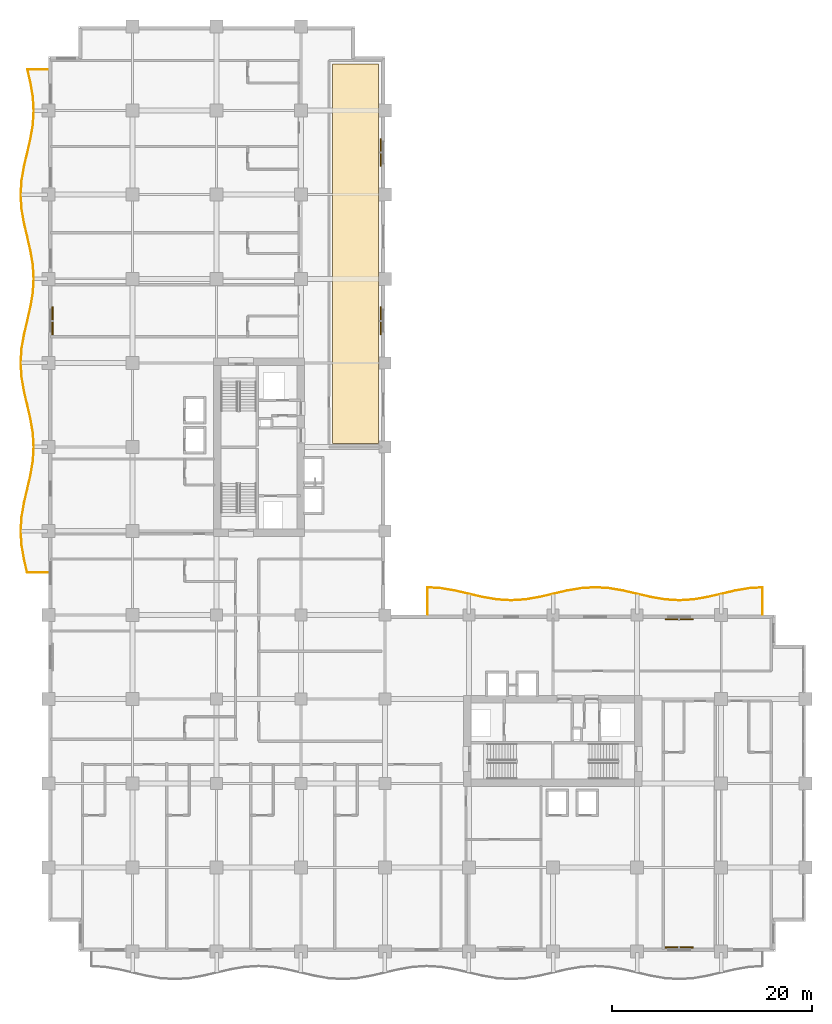
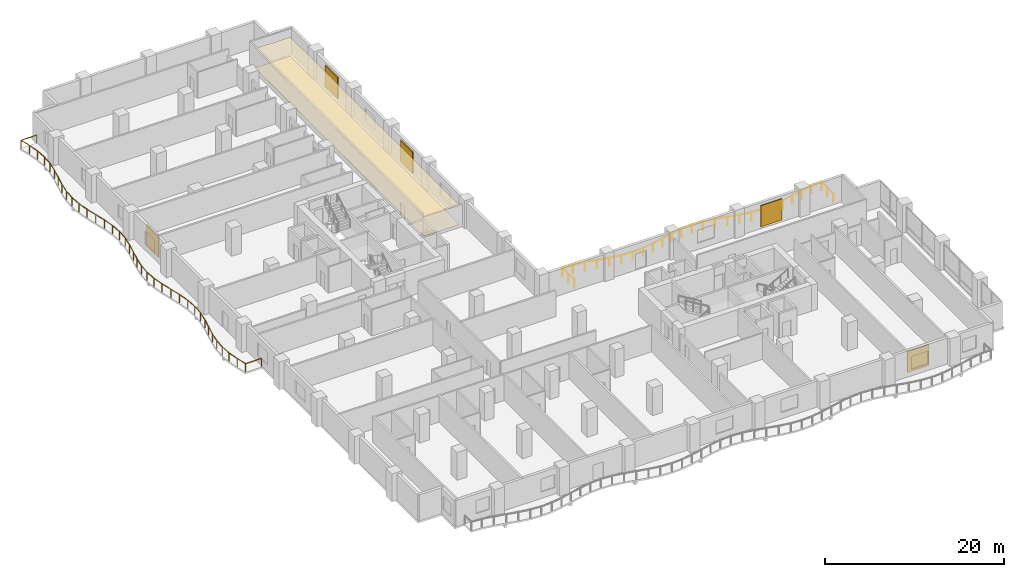
# One storey, part 24 of 24: 5 shading devices, 2 coverings, 2 railings.
"""IFC4 building model written with IfcOpenShell, lengths in metres."""

import ifcopenshell
import ifcopenshell.guid

model = None  # the IFC model being written
_history = None  # IfcOwnerHistory: only IFC2X3 demands one
_inside = {}  # id of a spatial element -> (the spatial element, [elements in it])
_under = {}  # id of a project, library or spatial element -> (it, [spatial elements below it])
_declared = {}  # id of a project -> (the project, [libraries it declares])
_typed = {}  # id of a type object -> (the type object, [elements of that type])
_made_of = {}  # id of a material, layer set ... -> (it, [elements and type objects made of it])


def new_model(schema):
    """Start an empty IFC model of exactly this schema.

    Asked for "IFC4X3", IfcOpenShell would pick the latest addendum, in which some entities
    have other attributes; the version numbers below select the first issue.
    IFC2X3 requires an IfcOwnerHistory on every rooted entity: one is made here for all.
    """
    global model, _history
    if schema == "IFC4X3":
        model = ifcopenshell.file(schema_version=(4, 3, 0, 0))
    else:
        model = ifcopenshell.file(schema=schema)
    _inside.clear()
    _under.clear()
    _declared.clear()
    _typed.clear()
    _made_of.clear()
    _history = None
    if model.schema == "IFC2X3":
        org = make("IfcOrganization", Name="unknown")
        user = make(
            "IfcPersonAndOrganization",
            ThePerson=make("IfcPerson", FamilyName="unknown"),
            TheOrganization=org,
        )
        app = make(
            "IfcApplication",
            ApplicationDeveloper=org,
            Version="unknown",
            ApplicationFullName="unknown",
            ApplicationIdentifier="unknown",
        )
        _history = make(
            "IfcOwnerHistory",
            OwningUser=user,
            OwningApplication=app,
            ChangeAction="ADDED",
            CreationDate=0,
        )
    return model


def make(cls, **values):
    """One entity of the class cls with the attributes given. An attribute that is None is left unset."""
    return model.create_entity(
        cls, **{name: value for name, value in values.items() if value is not None}
    )


def rooted(cls, **values):
    """An entity with a GlobalId (a new one), such as an element, a storey or a relation."""
    return make(cls, GlobalId=ifcopenshell.guid.new(), OwnerHistory=_history, **values)


def si_unit(unit_type, name, prefix=None):
    """IfcSIUnit, for example si_unit("LENGTHUNIT", "METRE", prefix="MILLI")."""
    return make("IfcSIUnit", UnitType=unit_type, Prefix=prefix, Name=name)


def assignment(units):
    """IfcUnitAssignment: the units of a project."""
    return None if units is None else make("IfcUnitAssignment", Units=units)


def point(xyz):
    """IfcCartesianPoint."""
    return None if xyz is None else make("IfcCartesianPoint", Coordinates=xyz)


def direction(xyz):
    """IfcDirection."""
    return None if xyz is None else make("IfcDirection", DirectionRatios=xyz)


def frame(location, z_axis=None, x_axis=None):
    """IfcAxis2Placement3D, a coordinate frame: its origin and axes. An axis left out is left unset."""
    return make(
        "IfcAxis2Placement3D",
        Location=point(location),
        Axis=direction(z_axis),
        RefDirection=direction(x_axis),
    )


def frame_2d(location, x_axis=None):
    """IfcAxis2Placement2D, a coordinate frame in the plane: its origin and x axis."""
    return make(
        "IfcAxis2Placement2D", Location=point(location), RefDirection=direction(x_axis)
    )


def origin():
    """The frame at (0, 0, 0) with its axes left unset."""
    return frame((0.0, 0.0, 0.0))


def origin_2d():
    """The frame at (0, 0) in the plane with its x axis left unset."""
    return frame_2d((0.0, 0.0))


def place(relative_to, where):
    """IfcLocalPlacement: puts the frame where relative to a parent placement (None: the world)."""
    return make(
        "IfcLocalPlacement", PlacementRelTo=relative_to, RelativePlacement=where
    )


def context(
    kind, dimensions, precision=None, world=None, true_north=None, identifier=None
):
    """IfcGeometricRepresentationContext, for example the 3D "Model" context."""
    return make(
        "IfcGeometricRepresentationContext",
        ContextIdentifier=identifier,
        ContextType=kind,
        CoordinateSpaceDimension=dimensions,
        Precision=precision,
        WorldCoordinateSystem=world,
        TrueNorth=true_north,
    )


def subcontext(parent, identifier, kind, view, scale=None):
    """IfcGeometricRepresentationSubContext, for example "Body" below "Model"."""
    return make(
        "IfcGeometricRepresentationSubContext",
        ContextIdentifier=identifier,
        ContextType=kind,
        ParentContext=parent,
        TargetScale=scale,
        TargetView=view,
    )


def project(units=None, contexts=None):
    """IfcProject with its units and contexts."""
    return rooted(
        "IfcProject",
        Name="project",
        RepresentationContexts=contexts,
        UnitsInContext=assignment(units),
    )


def spatial(cls, under=None, at=None, **own):
    """A site, building, storey or space (cls), placed at a placement, below another one or the project."""
    s = rooted(cls, ObjectPlacement=at, **own)
    if under is not None:
        _under.setdefault(under.id(), (under, []))[1].append(s)
    return s


def polyline(points):
    """IfcPolyline through the points."""
    return make("IfcPolyline", Points=[point(p) for p in points])


def profile(cls, at=None, kind="AREA", **sizes):
    """A parametric profile (cls). Its sizes go by their IFC names, for example OverallWidth=200.0."""
    return make(cls, ProfileType=kind, Position=at, **sizes)


def rectangle(**sizes):
    """IfcRectangleProfileDef."""
    return profile("IfcRectangleProfileDef", **sizes)


def circle(**sizes):
    """IfcCircleProfileDef."""
    return profile("IfcCircleProfileDef", **sizes)


def outline(outer, holes=None, kind="AREA"):
    """IfcArbitraryClosedProfileDef: a profile drawn as a closed curve; with holes, ...WithVoids."""
    if holes is None:
        return make("IfcArbitraryClosedProfileDef", ProfileType=kind, OuterCurve=outer)
    return make(
        "IfcArbitraryProfileDefWithVoids",
        ProfileType=kind,
        OuterCurve=outer,
        InnerCurves=holes,
    )


def extrude(swept, where, along, depth):
    """IfcExtrudedAreaSolid: the profile swept, set in the frame where, extruded along a direction by depth."""
    return make(
        "IfcExtrudedAreaSolid",
        SweptArea=swept,
        Position=where,
        ExtrudedDirection=direction(along),
        Depth=depth,
    )


def shape(context_of_items, identifier, shape_type, items):
    """IfcShapeRepresentation: the items that make up one representation, for example the "Body"."""
    return make(
        "IfcShapeRepresentation",
        ContextOfItems=context_of_items,
        RepresentationIdentifier=identifier,
        RepresentationType=shape_type,
        Items=items,
    )


def material(Name=None, Category=None):
    """IfcMaterial."""
    return make("IfcMaterial", Name=Name, Category=Category)


def layer(
    of_material, thickness, ventilated=None, Name=None, Category=None, Priority=None
):
    """IfcMaterialLayer: one layer of a wall or slab, of a material (None: an air gap)."""
    return make(
        "IfcMaterialLayer",
        Material=of_material,
        LayerThickness=thickness,
        IsVentilated=ventilated,
        Name=Name,
        Category=Category,
        Priority=Priority,
    )


def layer_set(layers, Name=None):
    """IfcMaterialLayerSet."""
    return make("IfcMaterialLayerSet", MaterialLayers=layers, LayerSetName=Name)


def made_of(thing, what):
    """Note that an element or type object is made of a material, layer set ...; save() writes the relation."""
    if what is not None:
        _made_of.setdefault(what.id(), (what, []))[1].append(thing)
    return thing


def type_object(cls, material=None, **own):
    """A type object (cls), such as IfcWallType, which elements share."""
    return made_of(rooted(cls, **own), material)


def element(
    cls,
    number,
    at=None,
    inside=None,
    cuts=None,
    type_object=None,
    material=None,
    context=None,
    identifier="Body",
    shape_type=None,
    held_by="IfcProductDefinitionShape",
    body=None,
    shapes=None,
    **own,
):
    """One element of the class cls, such as IfcWall. Its Tag is "e" and its number.

    at: its placement. inside: the storey or other place that contains it. cuts: it is an
    opening in that element (IfcRelVoidsElement). A single representation is given by context,
    identifier, shape_type and body (its items); several are given by shapes. held_by: the class
    of the entity that holds the representations. save() writes the other relations.
    """
    e = rooted(cls, Tag="e%d" % number, ObjectPlacement=at, **own)
    if body is not None:
        shapes = [shape(context, identifier, shape_type, body)]
    if shapes is not None:
        e.Representation = make(held_by, Representations=shapes)
    if inside is not None:
        _inside.setdefault(inside.id(), (inside, []))[1].append(e)
    if cuts is not None:
        rooted(
            "IfcRelVoidsElement", RelatingBuildingElement=cuts, RelatedOpeningElement=e
        )
    if type_object is not None:
        _typed.setdefault(type_object.id(), (type_object, []))[1].append(e)
    return made_of(e, material)


def aggregate(whole, parts):
    """IfcRelAggregates: a whole, such as a stair, and the parts it consists of."""
    return rooted("IfcRelAggregates", RelatingObject=whole, RelatedObjects=parts)


def save(model, path):
    """Write the relations noted so far, then the file.

    IfcRelAggregates (storeys below a building ...), IfcRelContainedInSpatialStructure (elements
    in a storey), IfcRelDefinesByType, IfcRelAssociatesMaterial and IfcRelDeclares: one each for
    every whole, place, type object, material and project.
    """
    for whole, parts in _under.values():
        aggregate(whole, parts)
    for where, things in _inside.values():
        rooted(
            "IfcRelContainedInSpatialStructure",
            RelatedElements=things,
            RelatingStructure=where,
        )
    for kind, things in _typed.values():
        rooted("IfcRelDefinesByType", RelatedObjects=things, RelatingType=kind)
    for what, things in _made_of.values():
        rooted("IfcRelAssociatesMaterial", RelatedObjects=things, RelatingMaterial=what)
    for by, libraries in _declared.values():
        rooted("IfcRelDeclares", RelatingContext=by, RelatedDefinitions=libraries)
    model.write(path)


model = new_model("IFC4")

# Units and contexts
model_context = context("Model", 3, precision=1e-05, world=origin(), true_north=direction((0.0, 1.0)))
body_context = subcontext(model_context, "Body", "Model", "MODEL_VIEW")
ifc_project = project(units=[si_unit("LENGTHUNIT", "METRE"), si_unit("AREAUNIT", "SQUARE_METRE"), si_unit("VOLUMEUNIT", "CUBIC_METRE"), si_unit("PLANEANGLEUNIT", "RADIAN"), si_unit("MASSUNIT", "GRAM", prefix="KILO")], contexts=[model_context])

# Site, building, storey
site_placement = place(None, origin())
site = spatial("IfcSite", under=ifc_project, at=site_placement, CompositionType="ELEMENT")
building_placement = place(site_placement, origin())
building = spatial("IfcBuilding", under=site, at=building_placement, Name="Koriwani Terraces Tower", CompositionType="ELEMENT")
storey_placement = place(building_placement, frame((0.0, 0.0, 103.800048828125)))
storey = spatial("IfcBuildingStorey", under=building, at=storey_placement, Name="L24", CompositionType="ELEMENT", Elevation=103.800048828125)

# Coverings
ifc_material_1 = material(Name="Fire-Rated Acoustic Gypsum Partition", Category="masonry")
ifc_layer_1 = layer(ifc_material_1, 0.02490234375, Name="Fire-Rated Acoustic Gypsum Partition")
ifc_layer_set_1 = layer_set([ifc_layer_1], Name="Fire-Rated Acoustic Gypsum Partition")
covering_type_1 = type_object("IfcCoveringType", Name="CEILING_ACOUSTIC_GYPSUM", PredefinedType="CEILING", material=ifc_layer_set_1)
covering_1_placement = place(storey_placement, frame((0.0, 0.0, 2.60498046875)))
element("IfcCovering", 1, at=covering_1_placement, inside=storey, type_object=covering_type_1, Name="L24 Suspended Acoustic Gypsum Ceiling", PredefinedType="CEILING", context=body_context, shape_type="SweptSolid", body=[
    extrude(outline(polyline([(28.35009765625, 50.75), (28.35009765625, 88.64990234375), (32.949951171875, 88.64990234375), (32.949951171875, 50.75), (28.35009765625, 50.75)])), origin(), (0.0, 0.0, 1.0), 0.02490234375),
])
ifc_material_2 = material(Name="Polished Andean Slate Flooring", Category="masonry")
ifc_layer_2 = layer(ifc_material_2, 0.030029296875, Name="Polished Andean Slate Flooring")
ifc_layer_set_2 = layer_set([ifc_layer_2], Name="Polished Andean Slate Flooring")
covering_type_2 = type_object("IfcCoveringType", Name="FLOORING_ANDEAN_STONE", PredefinedType="FLOORING", material=ifc_layer_set_2)
covering_2_placement = place(storey_placement, origin())
element("IfcCovering", 2, at=covering_2_placement, inside=storey, type_object=covering_type_2, Name="L24 Polished Andean Slate Floor Finish", PredefinedType="FLOORING", context=body_context, shape_type="SweptSolid", body=[
    extrude(outline(polyline([(28.35009765625, 50.75), (28.35009765625, 88.64990234375), (32.949951171875, 88.64990234375), (32.949951171875, 50.75), (28.35009765625, 50.75)])), origin(), (0.0, 0.0, 1.0), 0.030029296875),
])

# Railings
ifc_material_3 = material(Name="Steel ASTM A572 Grade 50", Category="steel")
railing_type = type_object("IfcRailingType", Name="GUARD_BALUSTRADE_1150", PredefinedType="BALUSTRADE", material=ifc_material_3)
railing_1_placement = place(storey_placement, frame((-0.080078125, 37.8798828125, 0.0)))
element("IfcRailing", 3, at=railing_1_placement, inside=storey, type_object=railing_type, Name="L24 Balcony Perimeter Safety Balustrade (W)", PredefinedType="BALUSTRADE", context=body_context, shape_type="SweptSolid", body=[
    extrude(circle(Radius=0.02392578125, at=origin_2d()), frame((0.0, 0.0, 1.1259765625), z_axis=(-1.0, 0.0, 0.0), x_axis=(0.0, -1.0, 0.0)), (0.0, 0.0, 1.0), 2.056396484375),
    extrude(circle(Radius=0.02392578125, at=origin_2d()), frame((-2.056396484375, 0.0, 1.1259765625), z_axis=(-0.226081445763, 0.974108402531, 0.0), x_axis=(-0.974108402531, -0.226081445763, 0.0)), (0.0, 0.0, 1.0), 1.371337890625),
    extrude(circle(Radius=0.02392578125, at=origin_2d()), frame((-2.366455078125, 1.3359375, 1.1259765625), z_axis=(-0.167563594016, 0.985861269125, 0.0), x_axis=(-0.985861269125, -0.167563594016, 0.0)), (0.0, 0.0, 1.0), 1.413330078125),
    extrude(circle(Radius=0.02392578125, at=origin_2d()), frame((-2.603271484375, 2.729248046875, 1.1259765625), z_axis=(-0.062018352335, 0.998075009192, 0.0), x_axis=(-0.998075009192, -0.062018352335, 0.0)), (0.0, 0.0, 1.0), 1.3935546875),
    extrude(circle(Radius=0.02392578125, at=origin_2d()), frame((-2.689697265625, 4.1201171875, 1.1259765625), z_axis=(0.062018352335, 0.998075009192, 0.0), x_axis=(-0.998075009192, 0.062018352335, 0.0)), (0.0, 0.0, 1.0), 1.3935546875),
    extrude(circle(Radius=0.02392578125, at=origin_2d()), frame((-2.603271484375, 5.510986328125, 1.1259765625), z_axis=(0.167563594016, 0.985861269125, 0.0), x_axis=(-0.985861269125, 0.167563594016, 0.0)), (0.0, 0.0, 1.0), 1.413330078125),
    extrude(circle(Radius=0.02392578125, at=origin_2d()), frame((-2.366455078125, 6.904296875, 1.1259765625), z_axis=(0.226093729043, 0.974105551615, 0.0), x_axis=(-0.974105551615, 0.226093729043, 0.0)), (0.0, 0.0, 1.0), 2.87451171875),
    extrude(circle(Radius=0.02392578125, at=origin_2d()), frame((-1.716552734375, 9.704345703125, 1.1259765625), z_axis=(0.167533954852, 0.985866306337, 0.0), x_axis=(-0.985866306337, 0.167533954852, 0.0)), (0.0, 0.0, 1.0), 1.4267578125),
    extrude(circle(Radius=0.02392578125, at=origin_2d()), frame((-1.4775390625, 11.11083984375, 1.1259765625), z_axis=(0.061904605217, 0.9980820707, 0.0), x_axis=(-0.9980820707, 0.061904605217, 0.0)), (0.0, 0.0, 1.0), 1.411865234375),
    extrude(circle(Radius=0.02392578125, at=origin_2d()), frame((-1.39013671875, 12.52001953125, 1.1259765625), z_axis=(-0.061904605217, 0.9980820707, 0.0), x_axis=(-0.9980820707, -0.061904605217, 0.0)), (0.0, 0.0, 1.0), 1.411865234375),
    extrude(circle(Radius=0.02392578125, at=origin_2d()), frame((-1.4775390625, 13.92919921875, 1.1259765625), z_axis=(-0.16750569507, 0.985871108269, 0.0), x_axis=(-0.985871108269, -0.16750569507, 0.0)), (0.0, 0.0, 1.0), 1.427001953125),
    extrude(circle(Radius=0.02392578125, at=origin_2d()), frame((-1.716552734375, 15.3359375, 1.1259765625), z_axis=(-0.226093729043, 0.974105551615, 0.0), x_axis=(-0.974105551615, -0.226093729043, 0.0)), (0.0, 0.0, 1.0), 2.87451171875),
    extrude(circle(Radius=0.02392578125, at=origin_2d()), frame((-2.366455078125, 18.135986328125, 1.1259765625), z_axis=(-0.167563594016, 0.985861269125, 0.0), x_axis=(-0.985861269125, -0.167563594016, 0.0)), (0.0, 0.0, 1.0), 1.413330078125),
    extrude(circle(Radius=0.02392578125, at=origin_2d()), frame((-2.603271484375, 19.529296875, 1.1259765625), z_axis=(-0.062018352335, 0.998075009192, 0.0), x_axis=(-0.998075009192, -0.062018352335, 0.0)), (0.0, 0.0, 1.0), 1.3935546875),
    extrude(circle(Radius=0.02392578125, at=origin_2d()), frame((-2.689697265625, 20.920166015625, 1.1259765625), z_axis=(0.062018352335, 0.998075009192, 0.0), x_axis=(-0.998075009192, 0.062018352335, 0.0)), (0.0, 0.0, 1.0), 1.3935546875),
    extrude(circle(Radius=0.02392578125, at=origin_2d()), frame((-2.603271484375, 22.31103515625, 1.1259765625), z_axis=(0.167563594016, 0.985861269125, 0.0), x_axis=(-0.985861269125, 0.167563594016, 0.0)), (0.0, 0.0, 1.0), 1.413330078125),
    extrude(circle(Radius=0.02392578125, at=origin_2d()), frame((-2.366455078125, 23.704345703125, 1.1259765625), z_axis=(0.226093729043, 0.974105551615, 0.0), x_axis=(-0.974105551615, 0.226093729043, 0.0)), (0.0, 0.0, 1.0), 2.87451171875),
    extrude(circle(Radius=0.02392578125, at=origin_2d()), frame((-1.716552734375, 26.50439453125, 1.1259765625), z_axis=(0.167533954852, 0.985866306337, 0.0), x_axis=(-0.985866306337, 0.167533954852, 0.0)), (0.0, 0.0, 1.0), 1.4267578125),
    extrude(circle(Radius=0.02392578125, at=origin_2d()), frame((-1.4775390625, 27.910888671875, 1.1259765625), z_axis=(0.061904605217, 0.9980820707, 0.0), x_axis=(-0.9980820707, 0.061904605217, 0.0)), (0.0, 0.0, 1.0), 1.411865234375),
    extrude(circle(Radius=0.02392578125, at=origin_2d()), frame((-1.39013671875, 29.320068359375, 1.1259765625), z_axis=(-0.061904605217, 0.9980820707, 0.0), x_axis=(-0.9980820707, -0.061904605217, 0.0)), (0.0, 0.0, 1.0), 1.411865234375),
    extrude(circle(Radius=0.02392578125, at=origin_2d()), frame((-1.4775390625, 30.729248046875, 1.1259765625), z_axis=(-0.167533954852, 0.985866306337, 0.0), x_axis=(-0.985866306337, -0.167533954852, 0.0)), (0.0, 0.0, 1.0), 1.4267578125),
    extrude(circle(Radius=0.02392578125, at=origin_2d()), frame((-1.716552734375, 32.1357421875, 1.1259765625), z_axis=(-0.226075024805, 0.974109892753, 0.0), x_axis=(-0.974109892753, -0.226075024805, 0.0)), (0.0, 0.0, 1.0), 2.874755859375),
    extrude(circle(Radius=0.02392578125, at=origin_2d()), frame((-2.366455078125, 34.93603515625, 1.1259765625), z_axis=(-0.167563594016, 0.985861269125, 0.0), x_axis=(-0.985861269125, -0.167563594016, 0.0)), (0.0, 0.0, 1.0), 1.413330078125),
    extrude(circle(Radius=0.02392578125, at=origin_2d()), frame((-2.603271484375, 36.329345703125, 1.1259765625), z_axis=(-0.062018352335, 0.998075009192, 0.0), x_axis=(-0.998075009192, -0.062018352335, 0.0)), (0.0, 0.0, 1.0), 1.3935546875),
    extrude(circle(Radius=0.02392578125, at=origin_2d()), frame((-2.689697265625, 37.72021484375, 1.1259765625), z_axis=(0.062029198499, 0.998074335174, 0.0), x_axis=(-0.998074335174, 0.062029198499, 0.0)), (0.0, 0.0, 1.0), 1.393310546875),
    extrude(circle(Radius=0.02392578125, at=origin_2d()), frame((-2.603271484375, 39.11083984375, 1.1259765625), z_axis=(0.167535062128, 0.985866118171, 0.0), x_axis=(-0.985866118171, 0.167535062128, 0.0)), (0.0, 0.0, 1.0), 1.41357421875),
    extrude(circle(Radius=0.02392578125, at=origin_2d()), frame((-2.366455078125, 40.50439453125, 1.1259765625), z_axis=(0.226093729043, 0.974105551615, 0.0), x_axis=(-0.974105551615, 0.226093729043, 0.0)), (0.0, 0.0, 1.0), 2.87451171875),
    extrude(circle(Radius=0.02392578125, at=origin_2d()), frame((-1.716552734375, 43.304443359375, 1.1259765625), z_axis=(0.167533954852, 0.985866306337, 0.0), x_axis=(-0.985866306337, 0.167533954852, 0.0)), (0.0, 0.0, 1.0), 1.4267578125),
    extrude(circle(Radius=0.02392578125, at=origin_2d()), frame((-1.4775390625, 44.7109375, 1.1259765625), z_axis=(0.061904605217, 0.9980820707, 0.0), x_axis=(-0.9980820707, 0.061904605217, 0.0)), (0.0, 0.0, 1.0), 1.411865234375),
    extrude(circle(Radius=0.02392578125, at=origin_2d()), frame((-1.39013671875, 46.1201171875, 1.1259765625), z_axis=(-0.061904605217, 0.9980820707, 0.0), x_axis=(-0.9980820707, -0.061904605217, 0.0)), (0.0, 0.0, 1.0), 1.411865234375),
    extrude(circle(Radius=0.02392578125, at=origin_2d()), frame((-1.4775390625, 47.529296875, 1.1259765625), z_axis=(-0.167533954852, 0.985866306337, 0.0), x_axis=(-0.985866306337, -0.167533954852, 0.0)), (0.0, 0.0, 1.0), 1.4267578125),
    extrude(circle(Radius=0.02392578125, at=origin_2d()), frame((-1.716552734375, 48.935791015625, 1.1259765625), z_axis=(-0.226071012836, 0.974110823857, 0.0), x_axis=(-0.974110823857, -0.226071012836, 0.0)), (0.0, 0.0, 1.0), 1.339111328125),
    extrude(circle(Radius=0.02392578125, at=origin_2d()), frame((-2.019287109375, 50.240234375, 1.1259765625), z_axis=(1.0, 0.0, 0.0), x_axis=(0.0, 1.0, 0.0)), (0.0, 0.0, 1.0), 2.019287109375),
    extrude(circle(Radius=0.02099609375, at=origin_2d()), origin(), (0.0, 0.0, 1.0), 1.101806640625),
    extrude(circle(Radius=0.02099609375, at=origin_2d()), frame((-2.056396484375, 0.0, 0.0)), (0.0, 0.0, 1.0), 1.101806640625),
    extrude(circle(Radius=0.02099609375, at=origin_2d()), frame((-2.366455078125, 1.3359375, 0.0)), (0.0, 0.0, 1.0), 1.101806640625),
    extrude(circle(Radius=0.02099609375, at=origin_2d()), frame((-2.603271484375, 2.729248046875, 0.0)), (0.0, 0.0, 1.0), 1.101806640625),
    extrude(circle(Radius=0.02099609375, at=origin_2d()), frame((-2.689697265625, 4.1201171875, 0.0)), (0.0, 0.0, 1.0), 1.101806640625),
    extrude(circle(Radius=0.02099609375, at=origin_2d()), frame((-2.603271484375, 5.510986328125, 0.0)), (0.0, 0.0, 1.0), 1.101806640625),
    extrude(circle(Radius=0.02099609375, at=origin_2d()), frame((-2.366455078125, 6.904296875, 0.0)), (0.0, 0.0, 1.0), 1.101806640625),
    extrude(circle(Radius=0.02099609375, at=origin_2d()), frame((-2.04150390625, 8.30419921875, 0.0)), (0.0, 0.0, 1.0), 1.101806640625),
    extrude(circle(Radius=0.02099609375, at=origin_2d()), frame((-1.716552734375, 9.704345703125, 0.0)), (0.0, 0.0, 1.0), 1.101806640625),
    extrude(circle(Radius=0.02099609375, at=origin_2d()), frame((-1.4775390625, 11.11083984375, 0.0)), (0.0, 0.0, 1.0), 1.101806640625),
    extrude(circle(Radius=0.02099609375, at=origin_2d()), frame((-1.39013671875, 12.52001953125, 0.0)), (0.0, 0.0, 1.0), 1.101806640625),
    extrude(circle(Radius=0.02099609375, at=origin_2d()), frame((-1.4775390625, 13.92919921875, 0.0)), (0.0, 0.0, 1.0), 1.101806640625),
    extrude(circle(Radius=0.02099609375, at=origin_2d()), frame((-1.716552734375, 15.3359375, 0.0)), (0.0, 0.0, 1.0), 1.101806640625),
    extrude(circle(Radius=0.02099609375, at=origin_2d()), frame((-2.04150390625, 16.73583984375, 0.0)), (0.0, 0.0, 1.0), 1.101806640625),
    extrude(circle(Radius=0.02099609375, at=origin_2d()), frame((-2.366455078125, 18.135986328125, 0.0)), (0.0, 0.0, 1.0), 1.101806640625),
    extrude(circle(Radius=0.02099609375, at=origin_2d()), frame((-2.603271484375, 19.529296875, 0.0)), (0.0, 0.0, 1.0), 1.101806640625),
    extrude(circle(Radius=0.02099609375, at=origin_2d()), frame((-2.689697265625, 20.920166015625, 0.0)), (0.0, 0.0, 1.0), 1.101806640625),
    extrude(circle(Radius=0.02099609375, at=origin_2d()), frame((-2.603271484375, 22.31103515625, 0.0)), (0.0, 0.0, 1.0), 1.101806640625),
    extrude(circle(Radius=0.02099609375, at=origin_2d()), frame((-2.366455078125, 23.704345703125, 0.0)), (0.0, 0.0, 1.0), 1.101806640625),
    extrude(circle(Radius=0.02099609375, at=origin_2d()), frame((-2.04150390625, 25.1044921875, 0.0)), (0.0, 0.0, 1.0), 1.101806640625),
    extrude(circle(Radius=0.02099609375, at=origin_2d()), frame((-1.716552734375, 26.50439453125, 0.0)), (0.0, 0.0, 1.0), 1.101806640625),
    extrude(circle(Radius=0.02099609375, at=origin_2d()), frame((-1.4775390625, 27.910888671875, 0.0)), (0.0, 0.0, 1.0), 1.101806640625),
    extrude(circle(Radius=0.02099609375, at=origin_2d()), frame((-1.39013671875, 29.320068359375, 0.0)), (0.0, 0.0, 1.0), 1.101806640625),
    extrude(circle(Radius=0.02099609375, at=origin_2d()), frame((-1.4775390625, 30.729248046875, 0.0)), (0.0, 0.0, 1.0), 1.101806640625),
    extrude(circle(Radius=0.02099609375, at=origin_2d()), frame((-1.716552734375, 32.1357421875, 0.0)), (0.0, 0.0, 1.0), 1.101806640625),
    extrude(circle(Radius=0.02099609375, at=origin_2d()), frame((-2.04150390625, 33.535888671875, 0.0)), (0.0, 0.0, 1.0), 1.101806640625),
    extrude(circle(Radius=0.02099609375, at=origin_2d()), frame((-2.366455078125, 34.93603515625, 0.0)), (0.0, 0.0, 1.0), 1.101806640625),
    extrude(circle(Radius=0.02099609375, at=origin_2d()), frame((-2.603271484375, 36.329345703125, 0.0)), (0.0, 0.0, 1.0), 1.101806640625),
    extrude(circle(Radius=0.02099609375, at=origin_2d()), frame((-2.689697265625, 37.72021484375, 0.0)), (0.0, 0.0, 1.0), 1.101806640625),
    extrude(circle(Radius=0.02099609375, at=origin_2d()), frame((-2.603271484375, 39.11083984375, 0.0)), (0.0, 0.0, 1.0), 1.101806640625),
    extrude(circle(Radius=0.02099609375, at=origin_2d()), frame((-2.366455078125, 40.50439453125, 0.0)), (0.0, 0.0, 1.0), 1.101806640625),
    extrude(circle(Radius=0.02099609375, at=origin_2d()), frame((-2.04150390625, 41.904296875, 0.0)), (0.0, 0.0, 1.0), 1.101806640625),
    extrude(circle(Radius=0.02099609375, at=origin_2d()), frame((-1.716552734375, 43.304443359375, 0.0)), (0.0, 0.0, 1.0), 1.101806640625),
    extrude(circle(Radius=0.02099609375, at=origin_2d()), frame((-1.4775390625, 44.7109375, 0.0)), (0.0, 0.0, 1.0), 1.101806640625),
    extrude(circle(Radius=0.02099609375, at=origin_2d()), frame((-1.39013671875, 46.1201171875, 0.0)), (0.0, 0.0, 1.0), 1.101806640625),
    extrude(circle(Radius=0.02099609375, at=origin_2d()), frame((-1.4775390625, 47.529296875, 0.0)), (0.0, 0.0, 1.0), 1.101806640625),
    extrude(circle(Radius=0.02099609375, at=origin_2d()), frame((-1.716552734375, 48.935791015625, 0.0)), (0.0, 0.0, 1.0), 1.101806640625),
    extrude(circle(Radius=0.02099609375, at=origin_2d()), frame((-2.019287109375, 50.240234375, 0.0)), (0.0, 0.0, 1.0), 1.101806640625),
    extrude(circle(Radius=0.02099609375, at=origin_2d()), frame((0.0, 50.240234375, 0.0)), (0.0, 0.0, 1.0), 1.101806640625),
])
railing_2_placement = place(storey_placement, frame((71.320068359375, 33.679931640625, 0.0)))
element("IfcRailing", 4, at=railing_2_placement, inside=storey, type_object=railing_type, Name="L24 Balcony Perimeter Safety Balustrade (NE)", PredefinedType="BALUSTRADE", context=body_context, shape_type="SweptSolid", body=[
    extrude(circle(Radius=0.02392578125, at=origin_2d()), frame((0.0, 0.0, 1.1259765625), z_axis=(0.0, 1.0, 0.0), x_axis=(-1.0, 0.0, 0.0)), (0.0, 0.0, 1.0), 2.68505859375),
    extrude(circle(Radius=0.02392578125, at=origin_2d()), frame((0.0, 2.68505859375, 1.1259765625), z_axis=(-0.998059082917, -0.062274127915, 0.0), x_axis=(0.062274127915, -0.998059082917, 0.0)), (0.0, 0.0, 1.0), 1.313232421875),
    extrude(circle(Radius=0.02392578125, at=origin_2d()), frame((-1.310791015625, 2.603271484375, 1.1259765625), z_axis=(-0.985866118171, -0.167535062128, 0.0), x_axis=(0.167535062128, -0.985866118171, 0.0)), (0.0, 0.0, 1.0), 1.41357421875),
    extrude(circle(Radius=0.02392578125, at=origin_2d()), frame((-2.704345703125, 2.366455078125, 1.1259765625), z_axis=(-0.974105551615, -0.226093729043, 0.0), x_axis=(0.226093729043, -0.974105551615, 0.0)), (0.0, 0.0, 1.0), 2.87451171875),
    extrude(circle(Radius=0.02392578125, at=origin_2d()), frame((-5.50439453125, 1.716552734375, 1.1259765625), z_axis=(-0.985894557597, -0.167367623213, 0.0), x_axis=(0.167367623213, -0.985894557597, 0.0)), (0.0, 0.0, 1.0), 1.426513671875),
    extrude(circle(Radius=0.02392578125, at=origin_2d()), frame((-6.910888671875, 1.477783203125, 1.1259765625), z_axis=(-0.9980820707, -0.061904605217, 0.0), x_axis=(0.061904605217, -0.9980820707, 0.0)), (0.0, 0.0, 1.0), 1.411865234375),
    extrude(circle(Radius=0.02392578125, at=origin_2d()), frame((-8.320068359375, 1.390380859375, 1.1259765625), z_axis=(-0.9980820707, 0.061904605217, 0.0), x_axis=(-0.061904605217, -0.9980820707, 0.0)), (0.0, 0.0, 1.0), 1.411865234375),
    extrude(circle(Radius=0.02392578125, at=origin_2d()), frame((-9.729248046875, 1.477783203125, 1.1259765625), z_axis=(-0.985894557597, 0.167367623213, 0.0), x_axis=(-0.167367623213, -0.985894557597, 0.0)), (0.0, 0.0, 1.0), 1.426513671875),
    extrude(circle(Radius=0.02392578125, at=origin_2d()), frame((-11.1357421875, 1.716552734375, 1.1259765625), z_axis=(-0.974105551615, 0.226093729043, 0.0), x_axis=(-0.226093729043, -0.974105551615, 0.0)), (0.0, 0.0, 1.0), 2.87451171875),
    extrude(circle(Radius=0.02392578125, at=origin_2d()), frame((-13.935791015625, 2.366455078125, 1.1259765625), z_axis=(-0.985866118171, 0.167535062128, 0.0), x_axis=(-0.167535062128, -0.985866118171, 0.0)), (0.0, 0.0, 1.0), 1.41357421875),
    extrude(circle(Radius=0.02392578125, at=origin_2d()), frame((-15.329345703125, 2.603271484375, 1.1259765625), z_axis=(-0.998063471972, 0.062203745181, 0.0), x_axis=(-0.062203745181, -0.998063471972, 0.0)), (0.0, 0.0, 1.0), 1.393310546875),
    extrude(circle(Radius=0.02392578125, at=origin_2d()), frame((-16.719970703125, 2.68994140625, 1.1259765625), z_axis=(-0.998064149781, -0.062192868733, 0.0), x_axis=(0.062192868733, -0.998064149781, 0.0)), (0.0, 0.0, 1.0), 1.3935546875),
    extrude(circle(Radius=0.02392578125, at=origin_2d()), frame((-18.11083984375, 2.603271484375, 1.1259765625), z_axis=(-0.985861269125, -0.167563594016, 0.0), x_axis=(0.167563594016, -0.985861269125, 0.0)), (0.0, 0.0, 1.0), 1.413330078125),
    extrude(circle(Radius=0.02392578125, at=origin_2d()), frame((-19.504150390625, 2.366455078125, 1.1259765625), z_axis=(-0.974109892753, -0.226075024805, 0.0), x_axis=(0.226075024805, -0.974109892753, 0.0)), (0.0, 0.0, 1.0), 2.874755859375),
    extrude(circle(Radius=0.02392578125, at=origin_2d()), frame((-22.304443359375, 1.716552734375, 1.1259765625), z_axis=(-0.985894557597, -0.167367623213, 0.0), x_axis=(0.167367623213, -0.985894557597, 0.0)), (0.0, 0.0, 1.0), 1.426513671875),
    extrude(circle(Radius=0.02392578125, at=origin_2d()), frame((-23.7109375, 1.477783203125, 1.1259765625), z_axis=(-0.9980820707, -0.061904605217, 0.0), x_axis=(0.061904605217, -0.9980820707, 0.0)), (0.0, 0.0, 1.0), 1.411865234375),
    extrude(circle(Radius=0.02392578125, at=origin_2d()), frame((-25.1201171875, 1.390380859375, 1.1259765625), z_axis=(-0.9980820707, 0.061904605217, 0.0), x_axis=(-0.061904605217, -0.9980820707, 0.0)), (0.0, 0.0, 1.0), 1.411865234375),
    extrude(circle(Radius=0.02392578125, at=origin_2d()), frame((-26.529296875, 1.477783203125, 1.1259765625), z_axis=(-0.985894557597, 0.167367623213, 0.0), x_axis=(-0.167367623213, -0.985894557597, 0.0)), (0.0, 0.0, 1.0), 1.426513671875),
    extrude(circle(Radius=0.02392578125, at=origin_2d()), frame((-27.935791015625, 1.716552734375, 1.1259765625), z_axis=(-0.974105551615, 0.226093729043, 0.0), x_axis=(-0.226093729043, -0.974105551615, 0.0)), (0.0, 0.0, 1.0), 2.87451171875),
    extrude(circle(Radius=0.02392578125, at=origin_2d()), frame((-30.73583984375, 2.366455078125, 1.1259765625), z_axis=(-0.985861269125, 0.167563594016, 0.0), x_axis=(-0.167563594016, -0.985861269125, 0.0)), (0.0, 0.0, 1.0), 1.413330078125),
    extrude(circle(Radius=0.02392578125, at=origin_2d()), frame((-32.129150390625, 2.603271484375, 1.1259765625), z_axis=(-0.998059803621, 0.062262576204, 0.0), x_axis=(-0.062262576204, -0.998059803621, 0.0)), (0.0, 0.0, 1.0), 1.3134765625),
    extrude(circle(Radius=0.02392578125, at=origin_2d()), frame((-33.440185546875, 2.68505859375, 1.1259765625), z_axis=(0.0, -1.0, 0.0), x_axis=(1.0, 0.0, 0.0)), (0.0, 0.0, 1.0), 2.68505859375),
    extrude(circle(Radius=0.02099609375, at=origin_2d()), origin(), (0.0, 0.0, 1.0), 1.101806640625),
    extrude(circle(Radius=0.02099609375, at=origin_2d()), frame((0.0, 1.342529296875, 0.0)), (0.0, 0.0, 1.0), 1.101806640625),
    extrude(circle(Radius=0.02099609375, at=origin_2d()), frame((0.0, 2.68505859375, 0.0)), (0.0, 0.0, 1.0), 1.101806640625),
    extrude(circle(Radius=0.02099609375, at=origin_2d()), frame((-1.310791015625, 2.603271484375, 0.0)), (0.0, 0.0, 1.0), 1.101806640625),
    extrude(circle(Radius=0.02099609375, at=origin_2d()), frame((-2.704345703125, 2.366455078125, 0.0)), (0.0, 0.0, 1.0), 1.101806640625),
    extrude(circle(Radius=0.02099609375, at=origin_2d()), frame((-4.1044921875, 2.04150390625, 0.0)), (0.0, 0.0, 1.0), 1.101806640625),
    extrude(circle(Radius=0.02099609375, at=origin_2d()), frame((-5.50439453125, 1.716552734375, 0.0)), (0.0, 0.0, 1.0), 1.101806640625),
    extrude(circle(Radius=0.02099609375, at=origin_2d()), frame((-6.910888671875, 1.477783203125, 0.0)), (0.0, 0.0, 1.0), 1.101806640625),
    extrude(circle(Radius=0.02099609375, at=origin_2d()), frame((-8.320068359375, 1.390380859375, 0.0)), (0.0, 0.0, 1.0), 1.101806640625),
    extrude(circle(Radius=0.02099609375, at=origin_2d()), frame((-9.729248046875, 1.477783203125, 0.0)), (0.0, 0.0, 1.0), 1.101806640625),
    extrude(circle(Radius=0.02099609375, at=origin_2d()), frame((-11.1357421875, 1.716552734375, 0.0)), (0.0, 0.0, 1.0), 1.101806640625),
    extrude(circle(Radius=0.02099609375, at=origin_2d()), frame((-12.53564453125, 2.04150390625, 0.0)), (0.0, 0.0, 1.0), 1.101806640625),
    extrude(circle(Radius=0.02099609375, at=origin_2d()), frame((-13.935791015625, 2.366455078125, 0.0)), (0.0, 0.0, 1.0), 1.101806640625),
    extrude(circle(Radius=0.02099609375, at=origin_2d()), frame((-15.329345703125, 2.603271484375, 0.0)), (0.0, 0.0, 1.0), 1.101806640625),
    extrude(circle(Radius=0.02099609375, at=origin_2d()), frame((-16.719970703125, 2.68994140625, 0.0)), (0.0, 0.0, 1.0), 1.101806640625),
    extrude(circle(Radius=0.02099609375, at=origin_2d()), frame((-18.11083984375, 2.603271484375, 0.0)), (0.0, 0.0, 1.0), 1.101806640625),
    extrude(circle(Radius=0.02099609375, at=origin_2d()), frame((-19.504150390625, 2.366455078125, 0.0)), (0.0, 0.0, 1.0), 1.101806640625),
    extrude(circle(Radius=0.02099609375, at=origin_2d()), frame((-20.904296875, 2.04150390625, 0.0)), (0.0, 0.0, 1.0), 1.101806640625),
    extrude(circle(Radius=0.02099609375, at=origin_2d()), frame((-22.304443359375, 1.716552734375, 0.0)), (0.0, 0.0, 1.0), 1.101806640625),
    extrude(circle(Radius=0.02099609375, at=origin_2d()), frame((-23.7109375, 1.477783203125, 0.0)), (0.0, 0.0, 1.0), 1.101806640625),
    extrude(circle(Radius=0.02099609375, at=origin_2d()), frame((-25.1201171875, 1.390380859375, 0.0)), (0.0, 0.0, 1.0), 1.101806640625),
    extrude(circle(Radius=0.02099609375, at=origin_2d()), frame((-26.529296875, 1.477783203125, 0.0)), (0.0, 0.0, 1.0), 1.101806640625),
    extrude(circle(Radius=0.02099609375, at=origin_2d()), frame((-27.935791015625, 1.716552734375, 0.0)), (0.0, 0.0, 1.0), 1.101806640625),
    extrude(circle(Radius=0.02099609375, at=origin_2d()), frame((-29.3359375, 2.04150390625, 0.0)), (0.0, 0.0, 1.0), 1.101806640625),
    extrude(circle(Radius=0.02099609375, at=origin_2d()), frame((-30.73583984375, 2.366455078125, 0.0)), (0.0, 0.0, 1.0), 1.101806640625),
    extrude(circle(Radius=0.02099609375, at=origin_2d()), frame((-32.129150390625, 2.603271484375, 0.0)), (0.0, 0.0, 1.0), 1.101806640625),
    extrude(circle(Radius=0.02099609375, at=origin_2d()), frame((-33.440185546875, 2.68505859375, 0.0)), (0.0, 0.0, 1.0), 1.101806640625),
    extrude(circle(Radius=0.02099609375, at=origin_2d()), frame((-33.440185546875, 1.342529296875, 0.0)), (0.0, 0.0, 1.0), 1.101806640625),
    extrude(circle(Radius=0.02099609375, at=origin_2d()), frame((-33.440185546875, 0.0, 0.0)), (0.0, 0.0, 1.0), 1.101806640625),
])

# Shading devices
ifc_material_4 = material(Name="Extruded Terracotta Clay", Category="masonry")
ifc_layer_3 = layer(ifc_material_4, 0.1201171875, Name="Extruded Terracotta Clay")
ifc_layer_set_3 = layer_set([ifc_layer_3], Name="Extruded Terracotta Clay")
shading_device_type = type_object("IfcShadingDeviceType", Name="TERRACOTTA_BAGUETTE_SCREEN_2800", PredefinedType="USERDEFINED", material=ifc_layer_set_3)
for number, where, z_axis, x_axis, name in (
    (5, (0.405029296875, 63.0, 0.324951171875), (0.0, 0.0, 1.0), (0.0, 1.0, 0.0), "L24 Extruded Terracotta Baguette Screen (W-21)"),
    (6, (33.195068359375, 63.0, 0.324951171875), (0.0, 0.0, 1.0), (0.0, -1.0, 0.0), "L24 Extruded Terracotta Baguette Screen (NW_IN-11)"),
    (7, (33.195068359375, 79.800048828125, 0.324951171875), (0.0, 0.0, 1.0), (0.0, -1.0, 0.0), "L24 Extruded Terracotta Baguette Screen (NW_IN-17)"),
    (8, (63.0, 33.195068359375, 0.324951171875), (0.0, 0.0, 1.0), (1.0, 0.0, 0.0), "L24 Extruded Terracotta Baguette Screen (NE-11)"),
    (9, (63.0, 0.405029296875, 0.324951171875), (0.0, 0.0, 1.0), (-1.0, 0.0, 0.0), "L24 Extruded Terracotta Baguette Screen (S-21)"),
):
    element("IfcShadingDevice", number, at=place(storey_placement, frame(where, z_axis=z_axis, x_axis=x_axis)), inside=storey, type_object=shading_device_type, Name=name, ObjectType="BAGUETTE", PredefinedType="USERDEFINED", context=body_context, shape_type="SweptSolid", body=[
        extrude(rectangle(XDim=2.760009765625, YDim=0.1201171875, at=origin_2d()), origin(), (0.0, 0.0, 1.0), 2.89990234375),
    ])

save(model, "model.ifc")
